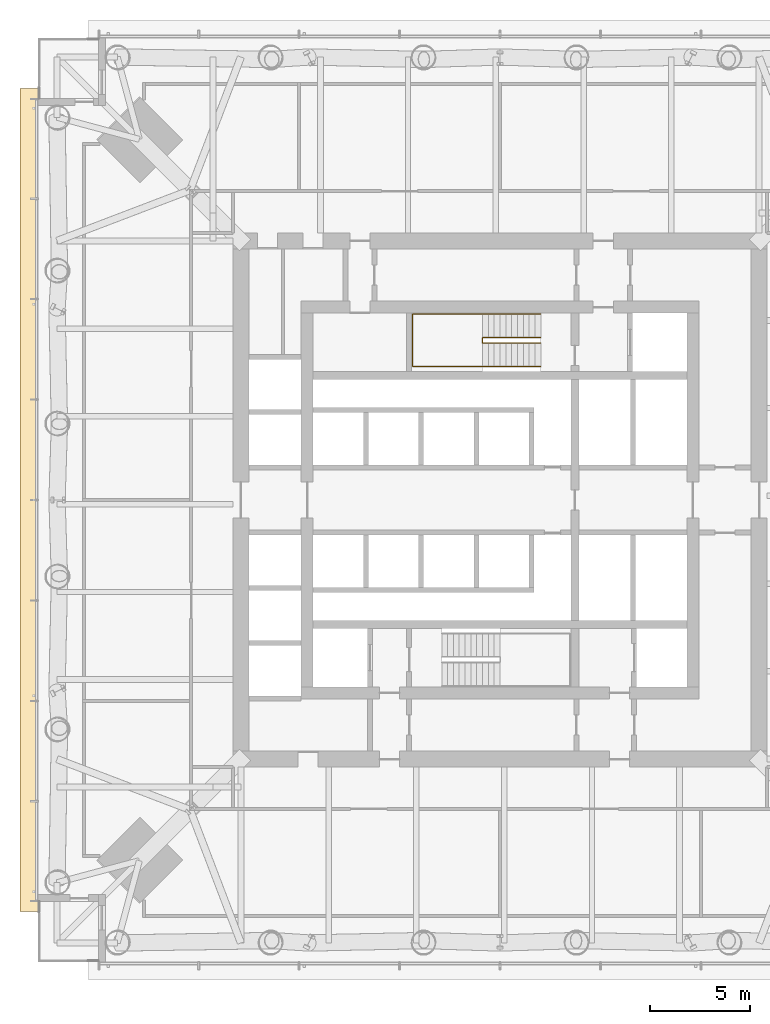
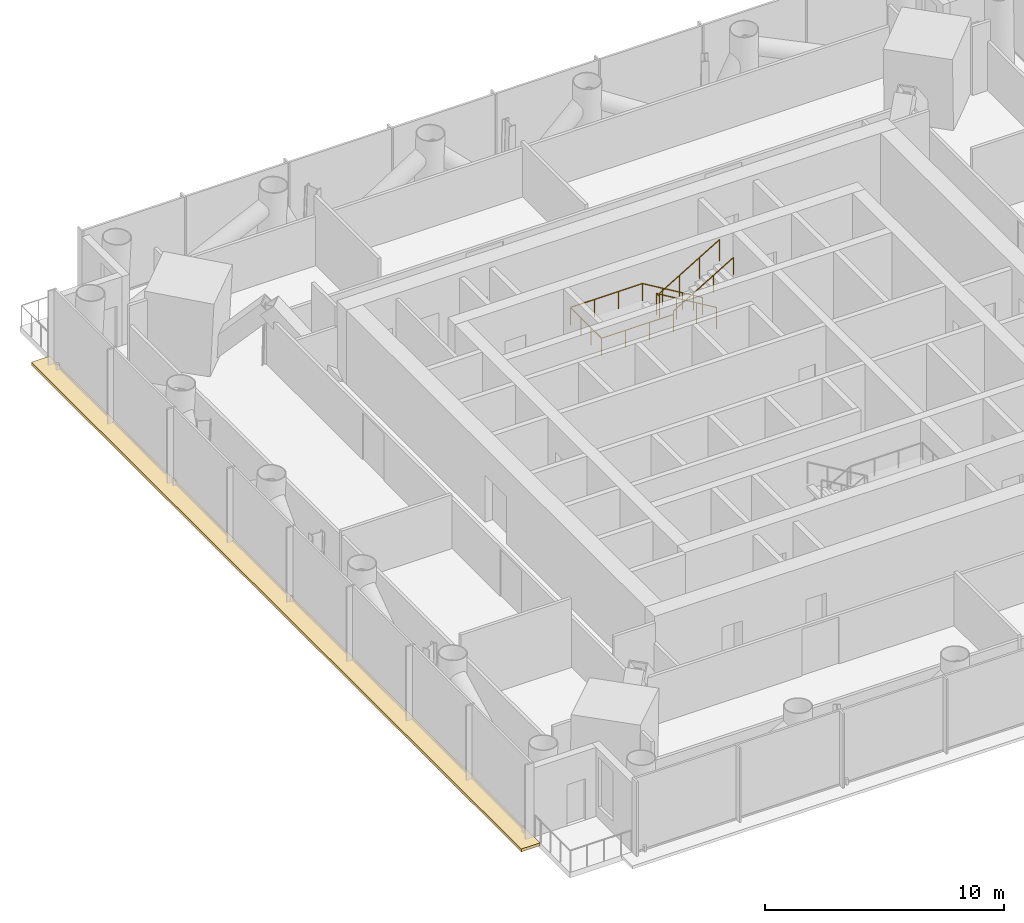
# One storey, part 25 of 28: 2 railings, 1 covering.
"""IFC4 building model written with IfcOpenShell, lengths in metres."""

from ifc_helpers import new_model, si_unit, direction, frame, origin, origin_2d, place, context, subcontext, project, spatial, polyline, circle, outline, extrude, material, layer, layer_set, type_object, element, save


model = new_model("IFC4")

# Units and contexts
model_context = context("Model", 3, precision=1e-05, world=origin(), true_north=direction((0.0, 1.0)))
body_context = subcontext(model_context, "Body", "Model", "MODEL_VIEW")
ifc_project = project(units=[si_unit("LENGTHUNIT", "METRE"), si_unit("AREAUNIT", "SQUARE_METRE"), si_unit("VOLUMEUNIT", "CUBIC_METRE"), si_unit("PLANEANGLEUNIT", "RADIAN"), si_unit("MASSUNIT", "GRAM", prefix="KILO")], contexts=[model_context])

# Site, building, storey
site_placement = place(None, origin())
site = spatial("IfcSite", under=ifc_project, at=site_placement, CompositionType="ELEMENT")
building_placement = place(site_placement, origin())
building = spatial("IfcBuilding", under=site, at=building_placement, Name="Ostroluk Exchange", CompositionType="ELEMENT")
storey_placement = place(building_placement, frame((0.0, 0.0, 81.800048828125)))
storey = spatial("IfcBuildingStorey", under=building, at=storey_placement, Name="L20", CompositionType="ELEMENT", Elevation=81.800048828125)

# Covering
ifc_material_1 = material(Name="Insulated steel roof deck with membrane, laid to falls, aluminium coping", Category="steel")
ifc_layer = layer(ifc_material_1, 0.14990234375)
ifc_layer_set = layer_set([ifc_layer], Name="Setback maintenance roof")
covering_type = type_object("IfcCoveringType", Name="Setback maintenance roof", PredefinedType="ROOFING", material=ifc_layer_set)
covering_placement = place(storey_placement, frame((0.0, 0.0, -0.150146484375)))
element("IfcCovering", 1, at=covering_placement, inside=storey, type_object=covering_type, Name="Maintenance roof, setback L20 west", PredefinedType="ROOFING", context=body_context, shape_type="SweptSolid", body=[
    extrude(outline(polyline([(21.10009765625, 66.5), (22.0, 66.5), (22.0, 25.5), (21.10009765625, 25.5), (21.10009765625, 66.5)])), origin(), (0.0, 0.0, 1.0), 0.150146484375),
])

# Railings
ifc_material_2 = material(Name="Steel S355", Category="steel")
railing_type_1 = type_object("IfcRailingType", Name="Stair guard 1100", PredefinedType="GUARDRAIL", material=ifc_material_2)
railing_1_placement = place(storey_placement, frame((47.030029296875, 54.080078125, 0.172607421875)))
element("IfcRailing", 2, at=railing_1_placement, inside=storey, type_object=railing_type_1, Name="Stair T1-S2 guard L20", PredefinedType="GUARDRAIL", context=body_context, shape_type="SweptSolid", body=[
    extrude(circle(Radius=0.02392578125, at=origin_2d()), frame((0.0, 0.0, 1.076171875), z_axis=(-0.859160404282, 0.0, 0.51170636083), x_axis=(0.0, -1.0, 0.0)), (0.0, 0.0, 1.0), 3.37548828125),
    extrude(circle(Radius=0.02392578125, at=origin_2d()), frame((-2.900146484375, 0.0, 2.80322265625), z_axis=(0.0, -1.0, 0.0), x_axis=(1.0, 0.0, 0.0)), (0.0, 0.0, 1.0), 0.260009765625),
    extrude(circle(Radius=0.02392578125, at=origin_2d()), frame((-2.900146484375, -0.260009765625, 2.80322265625), z_axis=(0.0, 0.0, 1.0), x_axis=(1.0, 0.0, 0.0)), (0.0, 0.0, 1.0), 0.1728515625),
    extrude(circle(Radius=0.02392578125, at=origin_2d()), frame((-2.900146484375, -0.260009765625, 2.97607421875), z_axis=(0.859160404282, 0.0, 0.51170636083), x_axis=(0.0, 1.0, 0.0)), (0.0, 0.0, 1.0), 3.37548828125),
    extrude(circle(Radius=0.02099609375, at=origin_2d()), origin(), (0.0, 0.0, 1.0), 1.052001953125),
    extrude(circle(Radius=0.02099609375, at=origin_2d()), frame((-0.966796875, 0.0, 0.57568359375)), (0.0, 0.0, 1.0), 1.052001953125),
    extrude(circle(Radius=0.02099609375, at=origin_2d()), frame((-1.933349609375, 0.0, 1.151611328125)), (0.0, 0.0, 1.0), 1.052001953125),
    extrude(circle(Radius=0.02099609375, at=origin_2d()), frame((-2.900146484375, 0.0, 1.727294921875)), (0.0, 0.0, 1.0), 1.052001953125),
    extrude(circle(Radius=0.02099609375, at=origin_2d()), frame((-2.900146484375, -0.260009765625, 1.727294921875)), (0.0, 0.0, 1.0), 1.052001953125),
    extrude(circle(Radius=0.02099609375, at=origin_2d()), frame((-2.900146484375, -0.260009765625, 1.900146484375)), (0.0, 0.0, 1.0), 1.052001953125),
    extrude(circle(Radius=0.02099609375, at=origin_2d()), frame((-1.933349609375, -0.260009765625, 2.475830078125)), (0.0, 0.0, 1.0), 1.052001953125),
    extrude(circle(Radius=0.02099609375, at=origin_2d()), frame((-0.966796875, -0.260009765625, 3.0517578125)), (0.0, 0.0, 1.0), 1.052001953125),
    extrude(circle(Radius=0.02099609375, at=origin_2d()), frame((0.0, -0.260009765625, 3.62744140625)), (0.0, 0.0, 1.0), 1.052001953125),
])
ifc_material_3 = material(Name="Stainless steel", Category="steel")
railing_type_2 = type_object("IfcRailingType", Name="Stair handrail 900", PredefinedType="HANDRAIL", material=ifc_material_3)
railing_2_placement = place(storey_placement, frame((47.030029296875, 55.25, 0.172607421875)))
element("IfcRailing", 3, at=railing_2_placement, inside=storey, type_object=railing_type_2, Name="Stair T1-S2 handrail L20", PredefinedType="HANDRAIL", context=body_context, shape_type="SweptSolid", body=[
    extrude(circle(Radius=0.02392578125, at=origin_2d()), frame((0.0, 0.0, 0.8759765625), z_axis=(-0.859160404282, 0.0, 0.51170636083), x_axis=(0.0, -1.0, 0.0)), (0.0, 0.0, 1.0), 3.37548828125),
    extrude(circle(Radius=0.02392578125, at=origin_2d()), frame((-2.900146484375, 0.0, 2.60302734375), z_axis=(-1.0, 0.0, 0.0), x_axis=(0.0, -1.0, 0.0)), (0.0, 0.0, 1.0), 3.47998046875),
    extrude(circle(Radius=0.02392578125, at=origin_2d()), frame((-6.380126953125, 0.0, 2.60302734375), z_axis=(0.0, -1.0, 0.0), x_axis=(1.0, 0.0, 0.0)), (0.0, 0.0, 1.0), 2.60009765625),
    extrude(circle(Radius=0.02392578125, at=origin_2d()), frame((-6.380126953125, -2.60009765625, 2.60302734375), z_axis=(1.0, 0.0, 0.0), x_axis=(0.0, 1.0, 0.0)), (0.0, 0.0, 1.0), 3.47998046875),
    extrude(circle(Radius=0.02392578125, at=origin_2d()), frame((-2.900146484375, -2.60009765625, 2.60302734375), z_axis=(0.0, 0.0, 1.0), x_axis=(1.0, 0.0, 0.0)), (0.0, 0.0, 1.0), 0.1728515625),
    extrude(circle(Radius=0.02392578125, at=origin_2d()), frame((-2.900146484375, -2.60009765625, 2.77587890625), z_axis=(0.859160404282, 0.0, 0.51170636083), x_axis=(0.0, 1.0, 0.0)), (0.0, 0.0, 1.0), 3.37548828125),
    extrude(circle(Radius=0.02099609375, at=origin_2d()), origin(), (0.0, 0.0, 1.0), 0.851806640625),
    extrude(circle(Radius=0.02099609375, at=origin_2d()), frame((-0.966796875, 0.0, 0.57568359375)), (0.0, 0.0, 1.0), 0.851806640625),
    extrude(circle(Radius=0.02099609375, at=origin_2d()), frame((-1.933349609375, 0.0, 1.151611328125)), (0.0, 0.0, 1.0), 0.851806640625),
    extrude(circle(Radius=0.02099609375, at=origin_2d()), frame((-2.900146484375, 0.0, 1.727294921875)), (0.0, 0.0, 1.0), 0.851806640625),
    extrude(circle(Radius=0.02099609375, at=origin_2d()), frame((-4.06005859375, 0.0, 1.727294921875)), (0.0, 0.0, 1.0), 0.851806640625),
    extrude(circle(Radius=0.02099609375, at=origin_2d()), frame((-5.22021484375, 0.0, 1.727294921875)), (0.0, 0.0, 1.0), 0.851806640625),
    extrude(circle(Radius=0.02099609375, at=origin_2d()), frame((-6.380126953125, 0.0, 1.727294921875)), (0.0, 0.0, 1.0), 0.851806640625),
    extrude(circle(Radius=0.02099609375, at=origin_2d()), frame((-6.380126953125, -0.86669921875, 1.727294921875)), (0.0, 0.0, 1.0), 0.851806640625),
    extrude(circle(Radius=0.02099609375, at=origin_2d()), frame((-6.380126953125, -1.7333984375, 1.727294921875)), (0.0, 0.0, 1.0), 0.851806640625),
    extrude(circle(Radius=0.02099609375, at=origin_2d()), frame((-6.380126953125, -2.60009765625, 1.727294921875)), (0.0, 0.0, 1.0), 0.851806640625),
    extrude(circle(Radius=0.02099609375, at=origin_2d()), frame((-5.22021484375, -2.60009765625, 1.727294921875)), (0.0, 0.0, 1.0), 0.851806640625),
    extrude(circle(Radius=0.02099609375, at=origin_2d()), frame((-4.06005859375, -2.60009765625, 1.727294921875)), (0.0, 0.0, 1.0), 0.851806640625),
    extrude(circle(Radius=0.02099609375, at=origin_2d()), frame((-2.900146484375, -2.60009765625, 1.727294921875)), (0.0, 0.0, 1.0), 0.851806640625),
    extrude(circle(Radius=0.02099609375, at=origin_2d()), frame((-2.900146484375, -2.60009765625, 1.900146484375)), (0.0, 0.0, 1.0), 0.851806640625),
    extrude(circle(Radius=0.02099609375, at=origin_2d()), frame((-1.933349609375, -2.60009765625, 2.475830078125)), (0.0, 0.0, 1.0), 0.851806640625),
    extrude(circle(Radius=0.02099609375, at=origin_2d()), frame((-0.966796875, -2.60009765625, 3.0517578125)), (0.0, 0.0, 1.0), 0.851806640625),
    extrude(circle(Radius=0.02099609375, at=origin_2d()), frame((0.0, -2.60009765625, 3.62744140625)), (0.0, 0.0, 1.0), 0.851806640625),
])

save(model, "model.ifc")
